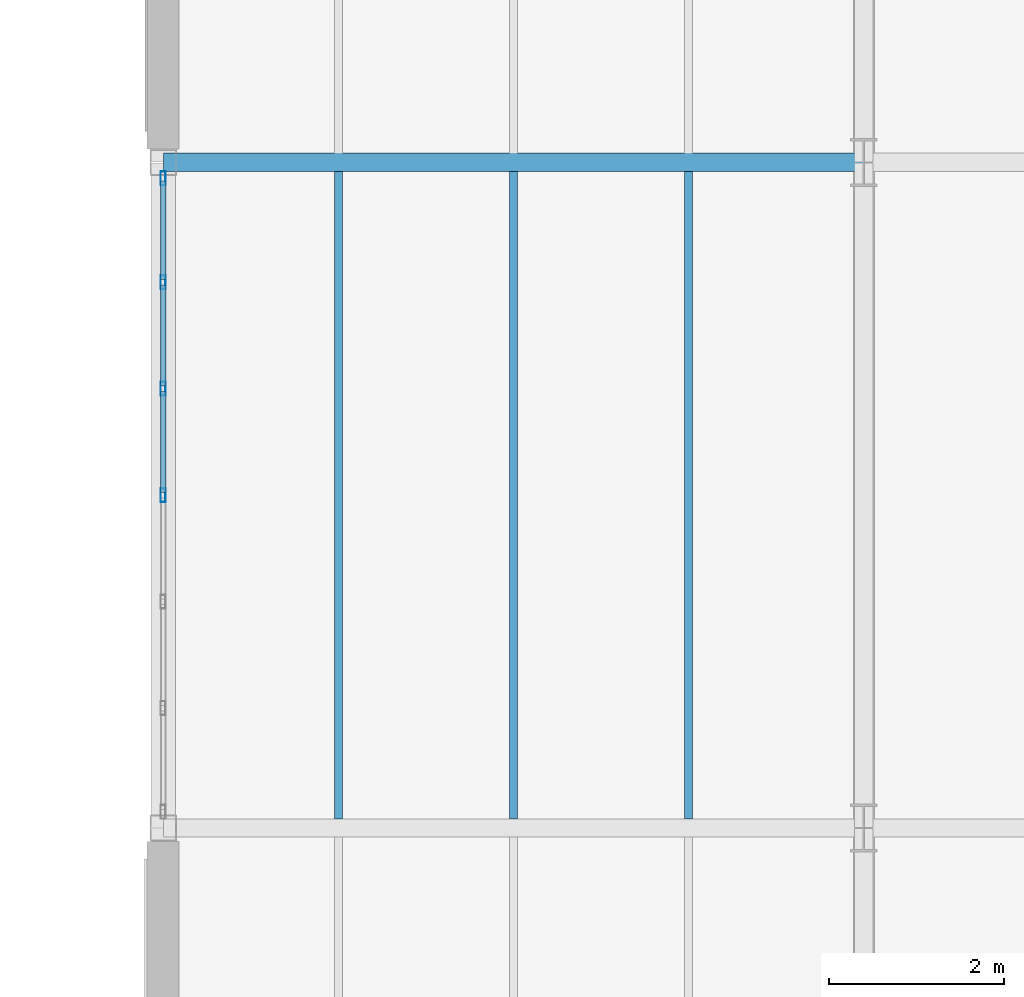
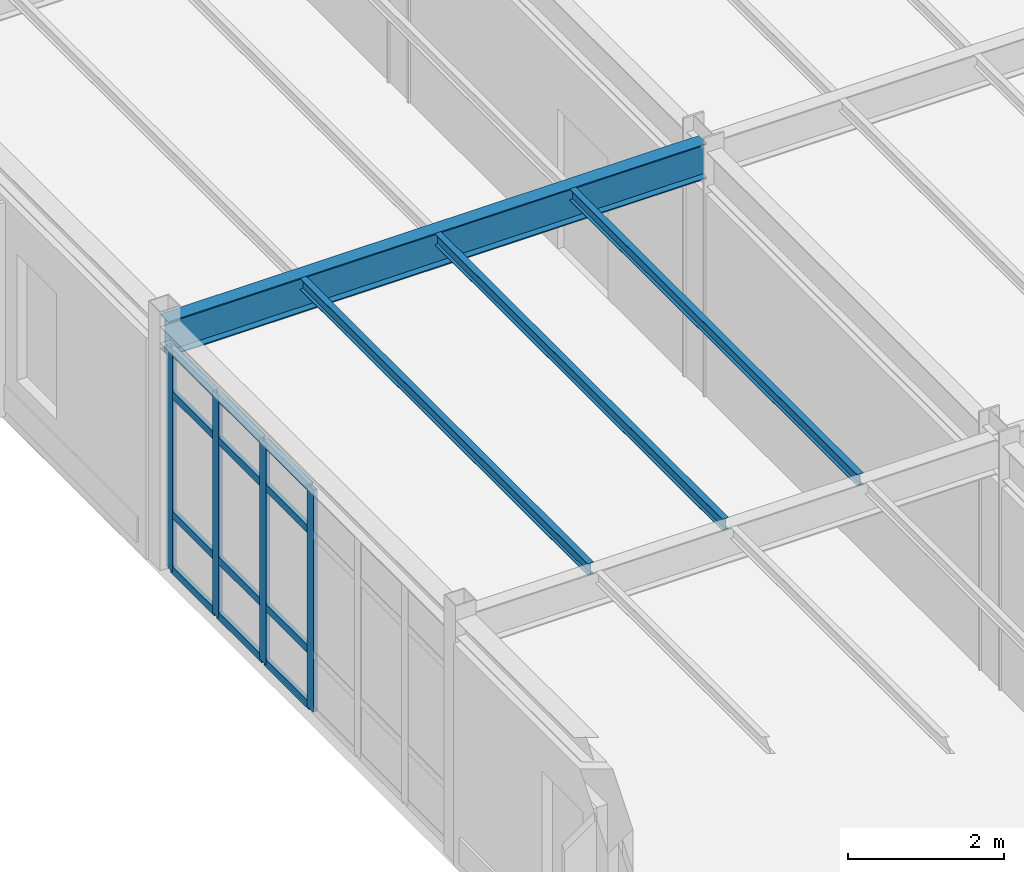
# One storey, part 116 of 165: 16 members, 4 beams, 1 element without a shape of its own.
"""IFC4 building model written with IfcOpenShell, lengths in metres."""

from ifc_helpers import new_model, si_unit, direction, frame, origin, origin_2d, place, context, subcontext, project, spatial, hollow_rectangle, i_section, extrude, material, layer, layer_set, material_profile, profile_set, type_object, element, aggregate, save


model = new_model("IFC4")

# Units and contexts
model_context = context("Model", 3, precision=1e-05, world=origin(), true_north=direction((0.0, 1.0)))
body_context = subcontext(model_context, "Body", "Model", "MODEL_VIEW")
ifc_project = project(units=[si_unit("LENGTHUNIT", "METRE"), si_unit("AREAUNIT", "SQUARE_METRE"), si_unit("VOLUMEUNIT", "CUBIC_METRE"), si_unit("PLANEANGLEUNIT", "RADIAN"), si_unit("MASSUNIT", "GRAM", prefix="KILO")], contexts=[model_context])

# Site, building, storey
site_placement = place(None, origin())
site = spatial("IfcSite", under=ifc_project, at=site_placement, CompositionType="ELEMENT")
building_placement = place(site_placement, origin())
building = spatial("IfcBuilding", under=site, at=building_placement, Name="Montecoro Central Library", CompositionType="ELEMENT")
storey_placement = place(building_placement, frame((0.0, 0.0, 5.10009765625)))
storey = spatial("IfcBuildingStorey", under=building, at=storey_placement, Name="L01", CompositionType="ELEMENT", Elevation=5.10009765625)

# Beams
ifc_material_1 = material(Name="Steel S355J2", Category="steel")
ifc_material_profile_1 = material_profile(ifc_material_1, i_section(OverallWidth=0.2099609375, OverallDepth=0.550048828125, WebThickness=0.010986328125, FlangeThickness=0.01708984375, at=origin_2d()), Name="IPE 550")
ifc_profile_set_1 = profile_set([ifc_material_profile_1], Name="Steel S355J2")
beam_type_1 = type_object("IfcBeamType", Name="BM-G-IPE550", PredefinedType="USERDEFINED", material=ifc_profile_set_1)
beam_placement = place(storey_placement, frame((141.0048828125, 88.60009765625, 3.5498046875), z_axis=(1.0, 0.0, 0.0), x_axis=(0.0, 1.0, 0.0)))
element("IfcBeam", 1, at=beam_placement, inside=storey, type_object=beam_type_1, Name="V5-L01-BX-1819-M", ObjectType="GIRDER", PredefinedType="USERDEFINED", context=body_context, shape_type="SweptSolid", body=[
    extrude(i_section(OverallWidth=0.2099609375, OverallDepth=0.550048828125, WebThickness=0.010986328125, FlangeThickness=0.01708984375, at=origin_2d()), origin(), (0.0, 0.0, 1.0), 7.990234375),
])
ifc_material_2 = material(Name="Steel S355", Category="steel")
ifc_material_profile_2 = material_profile(ifc_material_2, i_section(OverallWidth=0.091064453125, OverallDepth=0.179931640625, WebThickness=0.00537109375, FlangeThickness=0.008056640625, at=origin_2d()), Name="IPE 180")
ifc_profile_set_2 = profile_set([ifc_material_profile_2], Name="Steel S355")
beam_type_2 = type_object("IfcBeamType", Name="BM-J-IPE180", PredefinedType="JOIST", material=ifc_profile_set_2)
for number, where, z_axis, x_axis, name in (
    (2, (143.0, 81.10205078125, 3.73486328125), (0.0, 1.0, 0.0), (-1.0, 0.0, 0.0), "V5-L01-JS-1819-LM-1"),
    (3, (145.0, 81.10205078125, 3.73486328125), (0.0, 1.0, 0.0), (-1.0, 0.0, 0.0), "V5-L01-JS-1819-LM-2"),
    (4, (147.0, 81.10205078125, 3.73486328125), (0.0, 1.0, 0.0), (-1.0, 0.0, 0.0), "V5-L01-JS-1819-LM-3"),
):
    element("IfcBeam", number, at=place(storey_placement, frame(where, z_axis=z_axis, x_axis=x_axis)), inside=storey, type_object=beam_type_2, Name=name, PredefinedType="JOIST", context=body_context, shape_type="SweptSolid", body=[
        extrude(i_section(OverallWidth=0.091064453125, OverallDepth=0.179931640625, WebThickness=0.00537109375, FlangeThickness=0.008056640625, at=origin_2d()), origin(), (0.0, 0.0, 1.0), 7.39599609375),
    ])

# Curtain wall, members
ifc_material_3 = material(Name="Bronze-anodised aluminium and low-E glazing", Category="aluminium")
ifc_layer = layer(ifc_material_3, 0.159912109375)
ifc_layer_set = layer_set([ifc_layer], Name="Bronze-anodised aluminium and low-E glazing")
curtain_wall_type = type_object("IfcCurtainWallType", Name="CWT-053", PredefinedType="NOTDEFINED", material=ifc_layer_set)
curtain_wall_placement = place(storey_placement, origin())
curtain_wall = element("IfcCurtainWall", 5, at=curtain_wall_placement, inside=storey, type_object=curtain_wall_type, Name="V5-L01-CW-W1", PredefinedType="NOTDEFINED")
ifc_material_4 = material(Name="Bronze-anodised aluminium", Category="aluminium")
ifc_material_profile_3 = material_profile(ifc_material_4, hollow_rectangle(XDim=0.06005859375, YDim=0.159912109375, WallThickness=0.00390625, at=origin_2d()), Name="CWM 160x60x4.0")
ifc_profile_set_3 = profile_set([ifc_material_profile_3], Name="Bronze-anodised aluminium")
member_type_1 = type_object("IfcMemberType", Name="CWM-BRZ-60", PredefinedType="MULLION", material=ifc_profile_set_3)
member_1_placement = place(storey_placement, frame((141.0, 88.4169921875, 0.0), z_axis=(0.0, 0.0, 1.0), x_axis=(1.0, 0.0, 0.0)))
member_1 = element("IfcMember", 6, at=member_1_placement, type_object=member_type_1, Name="CW-053 mullion 1", PredefinedType="MULLION", context=body_context, shape_type="SweptSolid", body=[
    extrude(hollow_rectangle(XDim=0.06005859375, YDim=0.159912109375, WallThickness=0.00390625, at=origin_2d()), origin(), (0.0, 0.0, 1.0), 3.47998046875),
])
member_2_placement = place(storey_placement, frame((141.0, 87.2314453125, 0.0), z_axis=(0.0, 0.0, 1.0), x_axis=(1.0, 0.0, 0.0)))
member_2 = element("IfcMember", 7, at=member_2_placement, type_object=member_type_1, Name="CW-053 mullion 2", PredefinedType="MULLION", context=body_context, shape_type="SweptSolid", body=[
    extrude(hollow_rectangle(XDim=0.06005859375, YDim=0.159912109375, WallThickness=0.00390625, at=origin_2d()), origin(), (0.0, 0.0, 1.0), 3.47998046875),
])
member_3_placement = place(storey_placement, frame((141.0, 86.015625, 0.0), z_axis=(0.0, 0.0, 1.0), x_axis=(1.0, 0.0, 0.0)))
member_3 = element("IfcMember", 8, at=member_3_placement, type_object=member_type_1, Name="CW-053 mullion 3", PredefinedType="MULLION", context=body_context, shape_type="SweptSolid", body=[
    extrude(hollow_rectangle(XDim=0.06005859375, YDim=0.159912109375, WallThickness=0.00390625, at=origin_2d()), origin(), (0.0, 0.0, 1.0), 3.47998046875),
])
member_4_placement = place(storey_placement, frame((141.0, 84.800048828125, 0.0), z_axis=(0.0, 0.0, 1.0), x_axis=(1.0, 0.0, 0.0)))
member_4 = element("IfcMember", 9, at=member_4_placement, type_object=member_type_1, Name="CW-053 mullion 4", PredefinedType="MULLION", context=body_context, shape_type="SweptSolid", body=[
    extrude(hollow_rectangle(XDim=0.06005859375, YDim=0.159912109375, WallThickness=0.00390625, at=origin_2d()), origin(), (0.0, 0.0, 1.0), 3.47998046875),
])
ifc_material_profile_4 = material_profile(ifc_material_4, hollow_rectangle(XDim=0.06005859375, YDim=0.1201171875, WallThickness=0.00390625, at=origin_2d()), Name="CWT 120x60x4.0")
ifc_profile_set_4 = profile_set([ifc_material_profile_4], Name="Bronze-anodised aluminium")
member_type_2 = type_object("IfcMemberType", Name="CWT-BRZ-60", PredefinedType="USERDEFINED", material=ifc_profile_set_4)
member_5_placement = place(storey_placement, frame((141.0, 88.386962890625, 0.02978515625), z_axis=(0.0, -1.0, 0.0), x_axis=(1.0, 0.0, 0.0)))
member_5 = element("IfcMember", 10, at=member_5_placement, type_object=member_type_2, Name="CW-053 transom 1.1", ObjectType="TRANSOM", PredefinedType="USERDEFINED", context=body_context, shape_type="SweptSolid", body=[
    extrude(hollow_rectangle(XDim=0.06005859375, YDim=0.1201171875, WallThickness=0.00390625, at=origin_2d()), origin(), (0.0, 0.0, 1.0), 1.125732421875),
])
member_6_placement = place(storey_placement, frame((141.0, 88.386962890625, 0.89990234375), z_axis=(0.0, -1.0, 0.0), x_axis=(1.0, 0.0, 0.0)))
member_6 = element("IfcMember", 11, at=member_6_placement, type_object=member_type_2, Name="CW-053 transom 1.2", ObjectType="TRANSOM", PredefinedType="USERDEFINED", context=body_context, shape_type="SweptSolid", body=[
    extrude(hollow_rectangle(XDim=0.06005859375, YDim=0.1201171875, WallThickness=0.00390625, at=origin_2d()), origin(), (0.0, 0.0, 1.0), 1.125732421875),
])
member_7_placement = place(storey_placement, frame((141.0, 88.386962890625, 2.77978515625), z_axis=(0.0, -1.0, 0.0), x_axis=(1.0, 0.0, 0.0)))
member_7 = element("IfcMember", 12, at=member_7_placement, type_object=member_type_2, Name="CW-053 transom 1.3", ObjectType="TRANSOM", PredefinedType="USERDEFINED", context=body_context, shape_type="SweptSolid", body=[
    extrude(hollow_rectangle(XDim=0.06005859375, YDim=0.1201171875, WallThickness=0.00390625, at=origin_2d()), origin(), (0.0, 0.0, 1.0), 1.125732421875),
])
member_8_placement = place(storey_placement, frame((141.0, 88.386962890625, 3.449951171875), z_axis=(0.0, -1.0, 0.0), x_axis=(1.0, 0.0, 0.0)))
member_8 = element("IfcMember", 13, at=member_8_placement, type_object=member_type_2, Name="CW-053 transom 1.4", ObjectType="TRANSOM", PredefinedType="USERDEFINED", context=body_context, shape_type="SweptSolid", body=[
    extrude(hollow_rectangle(XDim=0.06005859375, YDim=0.1201171875, WallThickness=0.00390625, at=origin_2d()), origin(), (0.0, 0.0, 1.0), 1.125732421875),
])
member_9_placement = place(storey_placement, frame((141.0, 87.201416015625, 0.02978515625), z_axis=(0.0, -1.0, 0.0), x_axis=(1.0, 0.0, 0.0)))
member_9 = element("IfcMember", 14, at=member_9_placement, type_object=member_type_2, Name="CW-053 transom 2.1", ObjectType="TRANSOM", PredefinedType="USERDEFINED", context=body_context, shape_type="SweptSolid", body=[
    extrude(hollow_rectangle(XDim=0.06005859375, YDim=0.1201171875, WallThickness=0.00390625, at=origin_2d()), origin(), (0.0, 0.0, 1.0), 1.15576171875),
])
member_10_placement = place(storey_placement, frame((141.0, 87.201416015625, 0.89990234375), z_axis=(0.0, -1.0, 0.0), x_axis=(1.0, 0.0, 0.0)))
member_10 = element("IfcMember", 15, at=member_10_placement, type_object=member_type_2, Name="CW-053 transom 2.2", ObjectType="TRANSOM", PredefinedType="USERDEFINED", context=body_context, shape_type="SweptSolid", body=[
    extrude(hollow_rectangle(XDim=0.06005859375, YDim=0.1201171875, WallThickness=0.00390625, at=origin_2d()), origin(), (0.0, 0.0, 1.0), 1.15576171875),
])
member_11_placement = place(storey_placement, frame((141.0, 87.201416015625, 2.77978515625), z_axis=(0.0, -1.0, 0.0), x_axis=(1.0, 0.0, 0.0)))
member_11 = element("IfcMember", 16, at=member_11_placement, type_object=member_type_2, Name="CW-053 transom 2.3", ObjectType="TRANSOM", PredefinedType="USERDEFINED", context=body_context, shape_type="SweptSolid", body=[
    extrude(hollow_rectangle(XDim=0.06005859375, YDim=0.1201171875, WallThickness=0.00390625, at=origin_2d()), origin(), (0.0, 0.0, 1.0), 1.15576171875),
])
member_12_placement = place(storey_placement, frame((141.0, 87.201416015625, 3.449951171875), z_axis=(0.0, -1.0, 0.0), x_axis=(1.0, 0.0, 0.0)))
member_12 = element("IfcMember", 17, at=member_12_placement, type_object=member_type_2, Name="CW-053 transom 2.4", ObjectType="TRANSOM", PredefinedType="USERDEFINED", context=body_context, shape_type="SweptSolid", body=[
    extrude(hollow_rectangle(XDim=0.06005859375, YDim=0.1201171875, WallThickness=0.00390625, at=origin_2d()), origin(), (0.0, 0.0, 1.0), 1.15576171875),
])
member_13_placement = place(storey_placement, frame((141.0, 85.985595703125, 0.02978515625), z_axis=(0.0, -1.0, 0.0), x_axis=(1.0, 0.0, 0.0)))
member_13 = element("IfcMember", 18, at=member_13_placement, type_object=member_type_2, Name="CW-053 transom 3.1", ObjectType="TRANSOM", PredefinedType="USERDEFINED", context=body_context, shape_type="SweptSolid", body=[
    extrude(hollow_rectangle(XDim=0.06005859375, YDim=0.1201171875, WallThickness=0.00390625, at=origin_2d()), origin(), (0.0, 0.0, 1.0), 1.155517578125),
])
member_14_placement = place(storey_placement, frame((141.0, 85.985595703125, 0.89990234375), z_axis=(0.0, -1.0, 0.0), x_axis=(1.0, 0.0, 0.0)))
member_14 = element("IfcMember", 19, at=member_14_placement, type_object=member_type_2, Name="CW-053 transom 3.2", ObjectType="TRANSOM", PredefinedType="USERDEFINED", context=body_context, shape_type="SweptSolid", body=[
    extrude(hollow_rectangle(XDim=0.06005859375, YDim=0.1201171875, WallThickness=0.00390625, at=origin_2d()), origin(), (0.0, 0.0, 1.0), 1.155517578125),
])
member_15_placement = place(storey_placement, frame((141.0, 85.985595703125, 2.77978515625), z_axis=(0.0, -1.0, 0.0), x_axis=(1.0, 0.0, 0.0)))
member_15 = element("IfcMember", 20, at=member_15_placement, type_object=member_type_2, Name="CW-053 transom 3.3", ObjectType="TRANSOM", PredefinedType="USERDEFINED", context=body_context, shape_type="SweptSolid", body=[
    extrude(hollow_rectangle(XDim=0.06005859375, YDim=0.1201171875, WallThickness=0.00390625, at=origin_2d()), origin(), (0.0, 0.0, 1.0), 1.155517578125),
])
member_16_placement = place(storey_placement, frame((141.0, 85.985595703125, 3.449951171875), z_axis=(0.0, -1.0, 0.0), x_axis=(1.0, 0.0, 0.0)))
member_16 = element("IfcMember", 21, at=member_16_placement, type_object=member_type_2, Name="CW-053 transom 3.4", ObjectType="TRANSOM", PredefinedType="USERDEFINED", context=body_context, shape_type="SweptSolid", body=[
    extrude(hollow_rectangle(XDim=0.06005859375, YDim=0.1201171875, WallThickness=0.00390625, at=origin_2d()), origin(), (0.0, 0.0, 1.0), 1.155517578125),
])
aggregate(curtain_wall, [member_1, member_2, member_3, member_4, member_5, member_6, member_7, member_8, member_9, member_10, member_11, member_12, member_13, member_14, member_15, member_16])

save(model, "model.ifc")
